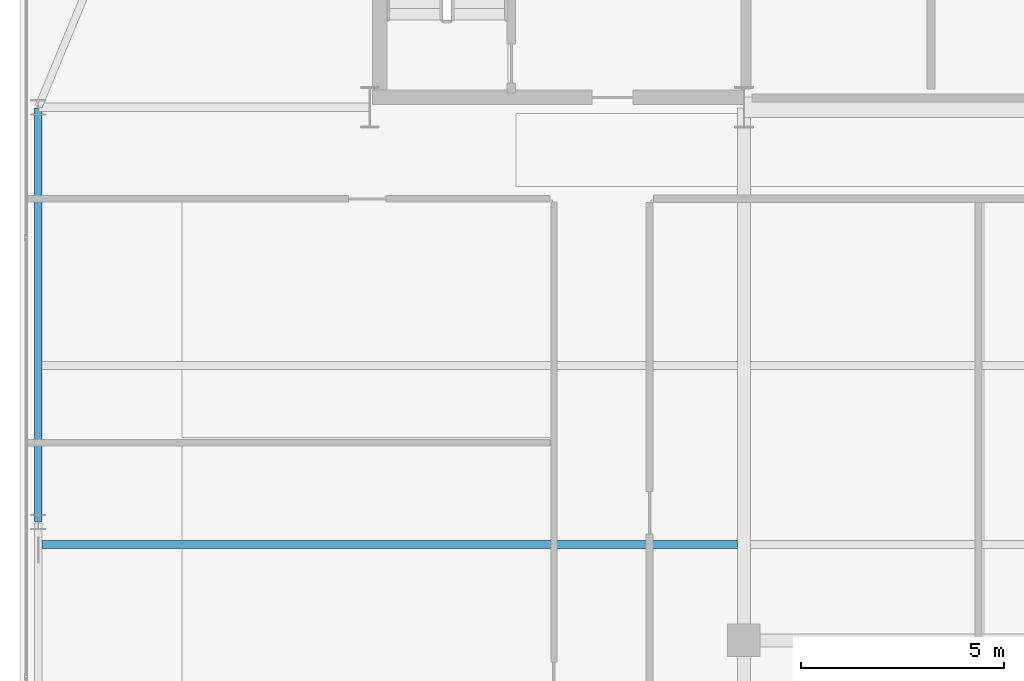
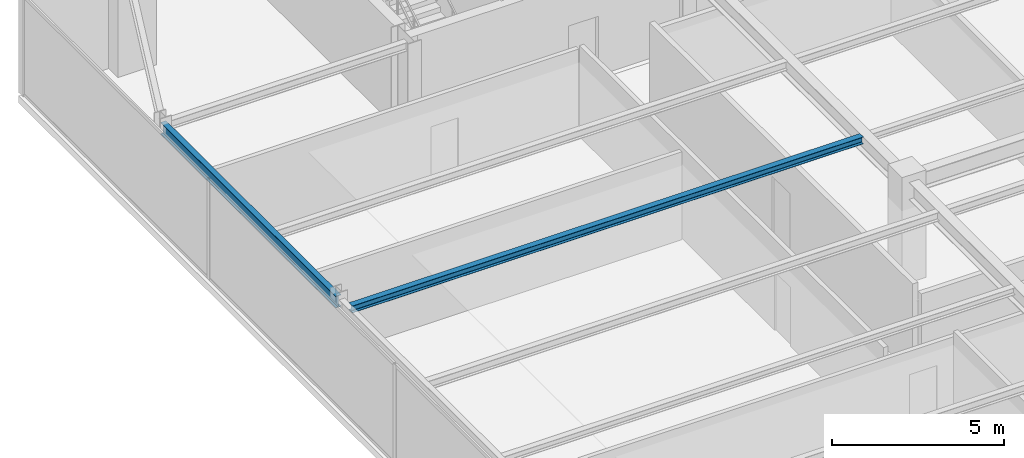
# One storey, part 10 of 30: 2 beams.
"""IFC4 building model written with IfcOpenShell, lengths in metres."""

from ifc_helpers import new_model, si_unit, direction, frame, origin, origin_2d, place, context, subcontext, project, spatial, i_section, extrude, source, transform, mapped, material, material_profile, profile_set, type_object, type_shapes, element, save


model = new_model("IFC4")

# Units and contexts
model_context = context("Model", 3, precision=1e-05, world=origin(), true_north=direction((0.0, 1.0)))
body_context = subcontext(model_context, "Body", "Model", "MODEL_VIEW")
ifc_project = project(units=[si_unit("LENGTHUNIT", "METRE"), si_unit("AREAUNIT", "SQUARE_METRE"), si_unit("VOLUMEUNIT", "CUBIC_METRE"), si_unit("PLANEANGLEUNIT", "RADIAN"), si_unit("MASSUNIT", "GRAM", prefix="KILO")], contexts=[model_context])

# Site, building, storey
site_placement = place(None, origin())
site = spatial("IfcSite", under=ifc_project, at=site_placement, CompositionType="ELEMENT")
building_placement = place(site_placement, origin())
building = spatial("IfcBuilding", under=site, at=building_placement, Name="Varnel Quay Broadcast Tower", CompositionType="ELEMENT")
storey_placement = place(building_placement, frame((0.0, 0.0, 168.60009765625)))
storey = spatial("IfcBuildingStorey", under=building, at=storey_placement, Name="L41", CompositionType="ELEMENT", Elevation=168.60009765625)

# Beams
ifc_material = material(Name="Structural Steel CSA G40.21 350W", Category="steel")
ifc_material_profile_1 = material_profile(ifc_material, i_section(OverallWidth=0.180908203125, OverallDepth=0.4169921875, WebThickness=0.010986328125, FlangeThickness=0.018310546875, FilletRadius=0.011962890625, at=origin_2d()), Name="W410X85")
ifc_profile_set_1 = profile_set([ifc_material_profile_1], Name="Structural Steel CSA G40.21 350W")
beam_type_1 = type_object("IfcBeamType", Name="Beam_W410X85", PredefinedType="SPANDREL", material=ifc_profile_set_1)
shared_shape_1 = source(origin(), body_context, "Body", "SweptSolid", [
    extrude(i_section(OverallWidth=0.180908203125, OverallDepth=0.4169921875, WebThickness=0.010986328125, FlangeThickness=0.018310546875, FilletRadius=0.011962890625, at=origin_2d()), origin(), (0.0, 0.0, 1.0), 10.16015625),
])
type_shapes(beam_type_1, [shared_shape_1])
beam_1_placement = place(storey_placement, frame((7.449951171875, 25.419921875, 3.34130859375), z_axis=(0.0, 1.0, 0.0), x_axis=(-1.0, 0.0, 0.0)))
element("IfcBeam", 1, at=beam_1_placement, inside=storey, type_object=beam_type_1, Name="L41 West Spandrel TC-W2-TC-W3", PredefinedType="SPANDREL", context=body_context, shape_type="MappedRepresentation", body=[
    mapped(shared_shape_1, transform((0.0, 0.0, 0.0), x_axis=(1.0, 0.0, 0.0), y_axis=(0.0, 1.0, 0.0), z_axis=(0.0, 0.0, 1.0), scale=1.0)),
])
ifc_material_profile_2 = material_profile(ifc_material, i_section(OverallWidth=0.201904296875, OverallDepth=0.2470703125, WebThickness=0.00732421875, FlangeThickness=0.010986328125, FilletRadius=0.010986328125, at=origin_2d()), Name="W250X49")
ifc_profile_set_2 = profile_set([ifc_material_profile_2], Name="Structural Steel CSA G40.21 350W")
beam_type_2 = type_object("IfcBeamType", Name="Beam_W250X49", PredefinedType="JOIST", material=ifc_profile_set_2)
shared_shape_2 = source(origin(), body_context, "Body", "SweptSolid", [
    extrude(i_section(OverallWidth=0.201904296875, OverallDepth=0.2470703125, WebThickness=0.00732421875, FlangeThickness=0.010986328125, FilletRadius=0.010986328125, at=origin_2d()), origin(), (0.0, 0.0, 1.0), 17.107177734375),
])
type_shapes(beam_type_2, [shared_shape_2])
beam_2_placement = place(storey_placement, frame((7.535400390625, 24.85009765625, 3.426513671875), z_axis=(1.0, 0.0, 0.0), x_axis=(0.0, 1.0, 0.0)))
element("IfcBeam", 2, at=beam_2_placement, inside=storey, type_object=beam_type_2, Name="L41 West Floor Joist 4", PredefinedType="JOIST", context=body_context, shape_type="MappedRepresentation", body=[
    mapped(shared_shape_2, transform((0.0, 0.0, 0.0), x_axis=(1.0, 0.0, 0.0), y_axis=(0.0, 1.0, 0.0), z_axis=(0.0, 0.0, 1.0), scale=1.0)),
])

save(model, "model.ifc")
